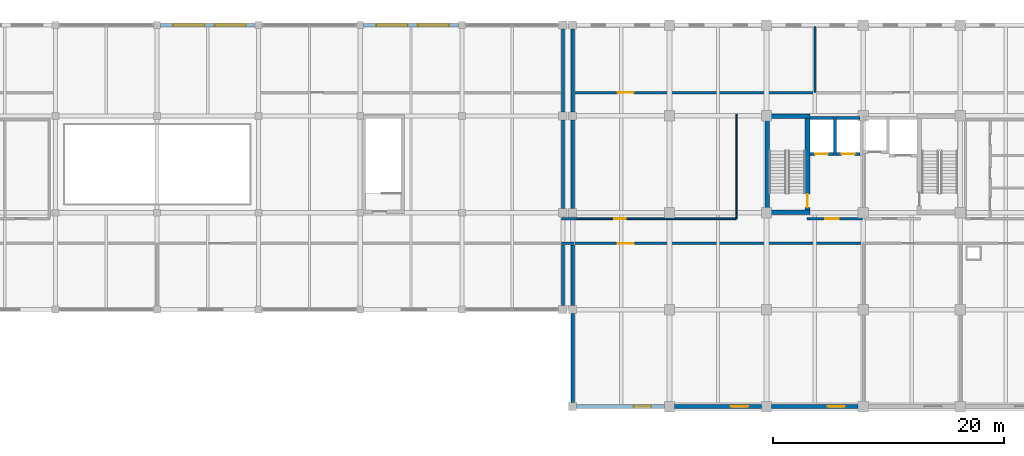
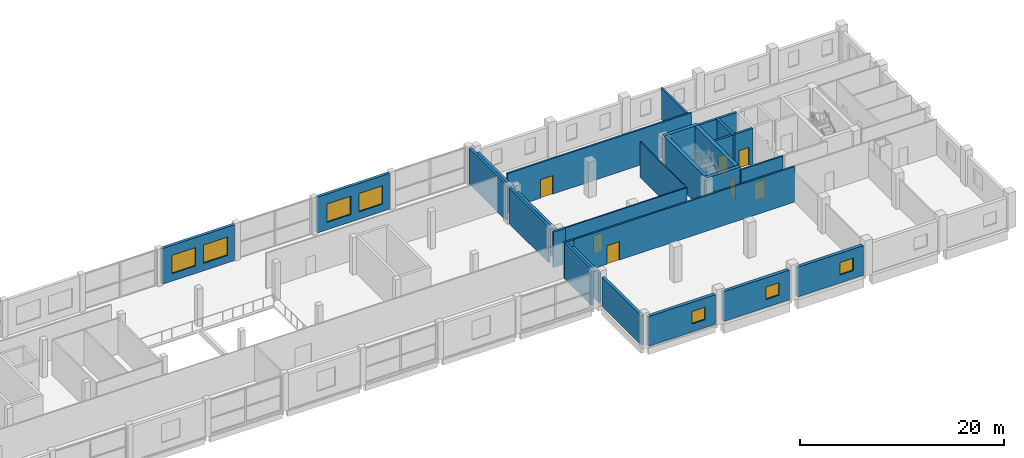
# One storey, part 14 of 18: 29 walls, 7 doors, 7 windows, 14 openings.
"""IFC4 building model written with IfcOpenShell, lengths in metres."""

import ifcopenshell
import ifcopenshell.guid

model = None  # the IFC model being written
_history = None  # IfcOwnerHistory: only IFC2X3 demands one
_inside = {}  # id of a spatial element -> (the spatial element, [elements in it])
_under = {}  # id of a project, library or spatial element -> (it, [spatial elements below it])
_declared = {}  # id of a project -> (the project, [libraries it declares])
_typed = {}  # id of a type object -> (the type object, [elements of that type])
_made_of = {}  # id of a material, layer set ... -> (it, [elements and type objects made of it])


def new_model(schema):
    """Start an empty IFC model of exactly this schema.

    Asked for "IFC4X3", IfcOpenShell would pick the latest addendum, in which some entities
    have other attributes; the version numbers below select the first issue.
    IFC2X3 requires an IfcOwnerHistory on every rooted entity: one is made here for all.
    """
    global model, _history
    if schema == "IFC4X3":
        model = ifcopenshell.file(schema_version=(4, 3, 0, 0))
    else:
        model = ifcopenshell.file(schema=schema)
    _inside.clear()
    _under.clear()
    _declared.clear()
    _typed.clear()
    _made_of.clear()
    _history = None
    if model.schema == "IFC2X3":
        org = make("IfcOrganization", Name="unknown")
        user = make(
            "IfcPersonAndOrganization",
            ThePerson=make("IfcPerson", FamilyName="unknown"),
            TheOrganization=org,
        )
        app = make(
            "IfcApplication",
            ApplicationDeveloper=org,
            Version="unknown",
            ApplicationFullName="unknown",
            ApplicationIdentifier="unknown",
        )
        _history = make(
            "IfcOwnerHistory",
            OwningUser=user,
            OwningApplication=app,
            ChangeAction="ADDED",
            CreationDate=0,
        )
    return model


def make(cls, **values):
    """One entity of the class cls with the attributes given. An attribute that is None is left unset."""
    return model.create_entity(
        cls, **{name: value for name, value in values.items() if value is not None}
    )


def rooted(cls, **values):
    """An entity with a GlobalId (a new one), such as an element, a storey or a relation."""
    return make(cls, GlobalId=ifcopenshell.guid.new(), OwnerHistory=_history, **values)


def si_unit(unit_type, name, prefix=None):
    """IfcSIUnit, for example si_unit("LENGTHUNIT", "METRE", prefix="MILLI")."""
    return make("IfcSIUnit", UnitType=unit_type, Prefix=prefix, Name=name)


def assignment(units):
    """IfcUnitAssignment: the units of a project."""
    return None if units is None else make("IfcUnitAssignment", Units=units)


def point(xyz):
    """IfcCartesianPoint."""
    return None if xyz is None else make("IfcCartesianPoint", Coordinates=xyz)


def direction(xyz):
    """IfcDirection."""
    return None if xyz is None else make("IfcDirection", DirectionRatios=xyz)


def frame(location, z_axis=None, x_axis=None):
    """IfcAxis2Placement3D, a coordinate frame: its origin and axes. An axis left out is left unset."""
    return make(
        "IfcAxis2Placement3D",
        Location=point(location),
        Axis=direction(z_axis),
        RefDirection=direction(x_axis),
    )


def frame_2d(location, x_axis=None):
    """IfcAxis2Placement2D, a coordinate frame in the plane: its origin and x axis."""
    return make(
        "IfcAxis2Placement2D", Location=point(location), RefDirection=direction(x_axis)
    )


def origin():
    """The frame at (0, 0, 0) with its axes left unset."""
    return frame((0.0, 0.0, 0.0))


def place(relative_to, where):
    """IfcLocalPlacement: puts the frame where relative to a parent placement (None: the world)."""
    return make(
        "IfcLocalPlacement", PlacementRelTo=relative_to, RelativePlacement=where
    )


def context(
    kind, dimensions, precision=None, world=None, true_north=None, identifier=None
):
    """IfcGeometricRepresentationContext, for example the 3D "Model" context."""
    return make(
        "IfcGeometricRepresentationContext",
        ContextIdentifier=identifier,
        ContextType=kind,
        CoordinateSpaceDimension=dimensions,
        Precision=precision,
        WorldCoordinateSystem=world,
        TrueNorth=true_north,
    )


def subcontext(parent, identifier, kind, view, scale=None):
    """IfcGeometricRepresentationSubContext, for example "Body" below "Model"."""
    return make(
        "IfcGeometricRepresentationSubContext",
        ContextIdentifier=identifier,
        ContextType=kind,
        ParentContext=parent,
        TargetScale=scale,
        TargetView=view,
    )


def project(units=None, contexts=None):
    """IfcProject with its units and contexts."""
    return rooted(
        "IfcProject",
        Name="project",
        RepresentationContexts=contexts,
        UnitsInContext=assignment(units),
    )


def spatial(cls, under=None, at=None, **own):
    """A site, building, storey or space (cls), placed at a placement, below another one or the project."""
    s = rooted(cls, ObjectPlacement=at, **own)
    if under is not None:
        _under.setdefault(under.id(), (under, []))[1].append(s)
    return s


def profile(cls, at=None, kind="AREA", **sizes):
    """A parametric profile (cls). Its sizes go by their IFC names, for example OverallWidth=200.0."""
    return make(cls, ProfileType=kind, Position=at, **sizes)


def rectangle(**sizes):
    """IfcRectangleProfileDef."""
    return profile("IfcRectangleProfileDef", **sizes)


def extrude(swept, where, along, depth):
    """IfcExtrudedAreaSolid: the profile swept, set in the frame where, extruded along a direction by depth."""
    return make(
        "IfcExtrudedAreaSolid",
        SweptArea=swept,
        Position=where,
        ExtrudedDirection=direction(along),
        Depth=depth,
    )


def shape(context_of_items, identifier, shape_type, items):
    """IfcShapeRepresentation: the items that make up one representation, for example the "Body"."""
    return make(
        "IfcShapeRepresentation",
        ContextOfItems=context_of_items,
        RepresentationIdentifier=identifier,
        RepresentationType=shape_type,
        Items=items,
    )


def material(Name=None, Category=None):
    """IfcMaterial."""
    return make("IfcMaterial", Name=Name, Category=Category)


def layer(
    of_material, thickness, ventilated=None, Name=None, Category=None, Priority=None
):
    """IfcMaterialLayer: one layer of a wall or slab, of a material (None: an air gap)."""
    return make(
        "IfcMaterialLayer",
        Material=of_material,
        LayerThickness=thickness,
        IsVentilated=ventilated,
        Name=Name,
        Category=Category,
        Priority=Priority,
    )


def layer_set(layers, Name=None):
    """IfcMaterialLayerSet."""
    return make("IfcMaterialLayerSet", MaterialLayers=layers, LayerSetName=Name)


def made_of(thing, what):
    """Note that an element or type object is made of a material, layer set ...; save() writes the relation."""
    if what is not None:
        _made_of.setdefault(what.id(), (what, []))[1].append(thing)
    return thing


def type_object(cls, material=None, **own):
    """A type object (cls), such as IfcWallType, which elements share."""
    return made_of(rooted(cls, **own), material)


def element(
    cls,
    number,
    at=None,
    inside=None,
    cuts=None,
    type_object=None,
    material=None,
    context=None,
    identifier="Body",
    shape_type=None,
    held_by="IfcProductDefinitionShape",
    body=None,
    shapes=None,
    **own,
):
    """One element of the class cls, such as IfcWall. Its Tag is "e" and its number.

    at: its placement. inside: the storey or other place that contains it. cuts: it is an
    opening in that element (IfcRelVoidsElement). A single representation is given by context,
    identifier, shape_type and body (its items); several are given by shapes. held_by: the class
    of the entity that holds the representations. save() writes the other relations.
    """
    e = rooted(cls, Tag="e%d" % number, ObjectPlacement=at, **own)
    if body is not None:
        shapes = [shape(context, identifier, shape_type, body)]
    if shapes is not None:
        e.Representation = make(held_by, Representations=shapes)
    if inside is not None:
        _inside.setdefault(inside.id(), (inside, []))[1].append(e)
    if cuts is not None:
        rooted(
            "IfcRelVoidsElement", RelatingBuildingElement=cuts, RelatedOpeningElement=e
        )
    if type_object is not None:
        _typed.setdefault(type_object.id(), (type_object, []))[1].append(e)
    return made_of(e, material)


def fill(opening, filler):
    """IfcRelFillsElement: the door or window that sits in an opening."""
    return rooted(
        "IfcRelFillsElement",
        RelatingOpeningElement=opening,
        RelatedBuildingElement=filler,
    )


def aggregate(whole, parts):
    """IfcRelAggregates: a whole, such as a stair, and the parts it consists of."""
    return rooted("IfcRelAggregates", RelatingObject=whole, RelatedObjects=parts)


def save(model, path):
    """Write the relations noted so far, then the file.

    IfcRelAggregates (storeys below a building ...), IfcRelContainedInSpatialStructure (elements
    in a storey), IfcRelDefinesByType, IfcRelAssociatesMaterial and IfcRelDeclares: one each for
    every whole, place, type object, material and project.
    """
    for whole, parts in _under.values():
        aggregate(whole, parts)
    for where, things in _inside.values():
        rooted(
            "IfcRelContainedInSpatialStructure",
            RelatedElements=things,
            RelatingStructure=where,
        )
    for kind, things in _typed.values():
        rooted("IfcRelDefinesByType", RelatedObjects=things, RelatingType=kind)
    for what, things in _made_of.values():
        rooted("IfcRelAssociatesMaterial", RelatedObjects=things, RelatingMaterial=what)
    for by, libraries in _declared.values():
        rooted("IfcRelDeclares", RelatingContext=by, RelatedDefinitions=libraries)
    model.write(path)


model = new_model("IFC4")

# Units and contexts
model_context = context("Model", 3, precision=1e-05, world=origin(), true_north=direction((0.0, 1.0)))
body_context = subcontext(model_context, "Body", "Model", "MODEL_VIEW")
ifc_project = project(units=[si_unit("LENGTHUNIT", "METRE"), si_unit("AREAUNIT", "SQUARE_METRE"), si_unit("VOLUMEUNIT", "CUBIC_METRE"), si_unit("PLANEANGLEUNIT", "RADIAN"), si_unit("MASSUNIT", "GRAM", prefix="KILO")], contexts=[model_context])

# Site, building, storey
site_placement = place(None, origin())
site = spatial("IfcSite", under=ifc_project, at=site_placement, CompositionType="ELEMENT")
building_placement = place(site_placement, origin())
building = spatial("IfcBuilding", under=site, at=building_placement, Name="Brinegate Botanical Conservatory", CompositionType="ELEMENT")
storey_placement = place(building_placement, frame((0.0, 0.0, 14.699951171875)))
storey = spatial("IfcBuildingStorey", under=building, at=storey_placement, Name="L04", CompositionType="ELEMENT", Elevation=14.699951171875)

# Walls
ifc_material_1 = material(Name="Fujian grey granite ashlar masonry", Category="masonry")
ifc_layer_1 = layer(ifc_material_1, 0.239990234375, Name="Fujian grey granite ashlar masonry", Category="masonry")
ifc_layer_set_1 = layer_set([ifc_layer_1], Name="Fujian grey granite ashlar masonry")
wall_type_1 = type_object("IfcWallType", Name="Wall_EW-240A", PredefinedType="STANDARD", material=ifc_layer_set_1)
wall_1_placement = place(storey_placement, frame((122.139892578125, 92.550048828125, 0.0), z_axis=(0.0, 0.0, 1.0), x_axis=(-1.0, 0.0, 0.0)))
element("IfcWall", 1, at=wall_1_placement, inside=storey, type_object=wall_type_1, Name="Seismic-joint corridor link wall L04 S", PredefinedType="STANDARD", context=body_context, shape_type="SweptSolid", body=[
    extrude(rectangle(XDim=1.10986328125, YDim=0.239990234375, at=frame_2d((0.554931640625, 0.0))), origin(), (0.0, 0.0, 1.0), 4.260009765625),
])
wall_2_placement = place(storey_placement, frame((121.030029296875, 94.679931640625, 0.0), z_axis=(0.0, 0.0, 1.0), x_axis=(1.0, 0.0, 0.0)))
element("IfcWall", 2, at=wall_2_placement, inside=storey, type_object=wall_type_1, Name="Seismic-joint corridor link wall L04 N", PredefinedType="STANDARD", context=body_context, shape_type="SweptSolid", body=[
    extrude(rectangle(XDim=1.35986328125, YDim=0.239990234375, at=frame_2d((0.679931640625, 0.0))), origin(), (0.0, 0.0, 1.0), 4.260009765625),
])
ifc_material_2 = material(Name="Precast concrete C40/50 architectural panel", Category="concrete")
ifc_layer_2 = layer(ifc_material_2, 0.260009765625, Name="Precast concrete C40/50 architectural panel", Category="concrete")
ifc_layer_set_2 = layer_set([ifc_layer_2], Name="Precast concrete C40/50 architectural panel")
wall_type_2 = type_object("IfcWallType", Name="Wall_EW-260P", PredefinedType="STANDARD", material=ifc_layer_set_2)
wall_3_placement = place(storey_placement, frame((121.14990234375, 92.419921875, 0.0), z_axis=(0.0, 0.0, 1.0), x_axis=(0.0, -1.0, 0.0)))
element("IfcWall", 3, at=wall_3_placement, inside=storey, type_object=wall_type_2, Name="Visitor east seismic-joint closure wall L04.1", PredefinedType="STANDARD", context=body_context, shape_type="SweptSolid", body=[
    extrude(rectangle(XDim=5.27001953125, YDim=0.260009765625, at=frame_2d((2.635009765625, 0.0))), origin(), (0.0, 0.0, 1.0), 4.300048828125),
])
wall_4_placement = place(storey_placement, frame((121.14990234375, 103.25, 0.0), z_axis=(0.0, 0.0, 1.0), x_axis=(0.0, -1.0, 0.0)))
element("IfcWall", 4, at=wall_4_placement, inside=storey, type_object=wall_type_2, Name="Visitor east seismic-joint closure wall L04.3", PredefinedType="STANDARD", context=body_context, shape_type="SweptSolid", body=[
    extrude(rectangle(XDim=7.699951171875, YDim=0.260009765625, at=frame_2d((3.85009765625, 0.0))), origin(), (0.0, 0.0, 1.0), 4.300048828125),
])
wall_5_placement = place(storey_placement, frame((121.14990234375, 111.10009765625, 0.0), z_axis=(0.0, 0.0, 1.0), x_axis=(0.0, -1.0, 0.0)))
element("IfcWall", 5, at=wall_5_placement, inside=storey, type_object=wall_type_2, Name="Visitor east seismic-joint closure wall L04.4", PredefinedType="STANDARD", context=body_context, shape_type="SweptSolid", body=[
    extrude(rectangle(XDim=7.150146484375, YDim=0.260009765625, at=frame_2d((3.5751953125, 0.0))), origin(), (0.0, 0.0, 1.0), 4.300048828125),
])
ifc_material_3 = material(Name="Insulated Minnan red clay brick masonry", Category="masonry")
ifc_layer_3 = layer(ifc_material_3, 0.300048828125, Name="Insulated Minnan red clay brick masonry", Category="masonry")
ifc_layer_set_3 = layer_set([ifc_layer_3], Name="Insulated Minnan red clay brick masonry")
wall_type_3 = type_object("IfcWallType", Name="Wall_EW-300B", PredefinedType="STANDARD", material=ifc_layer_set_3)
wall_6_placement = place(storey_placement, frame((122.0, 78.75, 0.0), z_axis=(0.0, 0.0, 1.0), x_axis=(0.0, 1.0, 0.0)))
element("IfcWall", 6, at=wall_6_placement, inside=storey, type_object=wall_type_3, Name="Tower west wall L04.S1", PredefinedType="STANDARD", context=body_context, shape_type="SweptSolid", body=[
    extrude(rectangle(XDim=7.699951171875, YDim=0.300048828125, at=frame_2d((3.85009765625, 0.0))), origin(), (0.0, 0.0, 1.0), 3.510009765625),
])
wall_7_placement = place(storey_placement, frame((122.0, 87.14990234375, 0.0), z_axis=(0.0, 0.0, 1.0), x_axis=(0.0, 1.0, 0.0)))
element("IfcWall", 7, at=wall_7_placement, inside=storey, type_object=wall_type_3, Name="Tower seismic-joint west wall L04.2", PredefinedType="STANDARD", context=body_context, shape_type="SweptSolid", body=[
    extrude(rectangle(XDim=5.27001953125, YDim=0.300048828125, at=frame_2d((2.635009765625, 0.0))), origin(), (0.0, 0.0, 1.0), 3.510009765625),
])
wall_8_placement = place(storey_placement, frame((122.0, 95.550048828125, 0.0), z_axis=(0.0, 0.0, 1.0), x_axis=(0.0, 1.0, 0.0)))
element("IfcWall", 8, at=wall_8_placement, inside=storey, type_object=wall_type_3, Name="Tower mid-west wall L04", PredefinedType="STANDARD", context=body_context, shape_type="SweptSolid", body=[
    extrude(rectangle(XDim=7.699951171875, YDim=0.300048828125, at=frame_2d((3.85009765625, 0.0))), origin(), (0.0, 0.0, 1.0), 3.510009765625),
])
wall_9_placement = place(storey_placement, frame((122.0, 103.949951171875, 0.0), z_axis=(0.0, 0.0, 1.0), x_axis=(0.0, 1.0, 0.0)))
element("IfcWall", 9, at=wall_9_placement, inside=storey, type_object=wall_type_3, Name="Tower north-west seismic-joint wall L04", PredefinedType="STANDARD", context=body_context, shape_type="SweptSolid", body=[
    extrude(rectangle(XDim=7.150146484375, YDim=0.300048828125, at=frame_2d((3.5751953125, 0.0))), origin(), (0.0, 0.0, 1.0), 3.510009765625),
])

# Wall, openings, windows
ifc_layer_4 = layer(ifc_material_3, 0.320068359375, Name="Insulated Minnan red clay brick masonry", Category="masonry")
ifc_layer_set_4 = layer_set([ifc_layer_4], Name="Insulated Minnan red clay brick masonry")
wall_type_4 = type_object("IfcWallType", Name="Wall_EW-320B", PredefinedType="STANDARD", material=ifc_layer_set_4)
wall_10_placement = place(storey_placement, frame((86.300048828125, 111.449951171875, 0.0), z_axis=(0.0, 0.0, 1.0), x_axis=(1.0, 0.0, 0.0)))
wall_10 = element("IfcWall", 10, at=wall_10_placement, inside=storey, type_object=wall_type_4, Name="Visitor north brick bay wall L04.5", PredefinedType="STANDARD", context=body_context, shape_type="SweptSolid", body=[
    extrude(rectangle(XDim=8.199951171875, YDim=0.320068359375, at=frame_2d((4.10009765625, 0.0))), origin(), (0.0, 0.0, 1.0), 4.300048828125),
])
opening_1_placement = place(wall_10_placement, frame((1.10009765625, 0.0, 0.89990234375)))
opening_1 = element("IfcOpeningElement", 11, at=opening_1_placement, cuts=wall_10, Name="Opening WN-10", PredefinedType="OPENING", context=body_context, shape_type="SweptSolid", body=[
    extrude(rectangle(XDim=2.699951171875, YDim=2.199951171875, at=frame_2d((1.35009765625, 1.10009765625))), frame((0.0, 0.169921875, 0.0), z_axis=(0.0, -1.0, 0.0), x_axis=(1.0, 0.0, 0.0)), (0.0, 0.0, 1.0), 0.340087890625),
])
opening_2_placement = place(wall_10_placement, frame((4.699951171875, 0.0, 0.89990234375)))
opening_2 = element("IfcOpeningElement", 12, at=opening_2_placement, cuts=wall_10, Name="Opening WN-10", PredefinedType="OPENING", context=body_context, shape_type="SweptSolid", body=[
    extrude(rectangle(XDim=2.699951171875, YDim=2.199951171875, at=frame_2d((1.35009765625, 1.10009765625))), frame((0.0, 0.169921875, 0.0), z_axis=(0.0, -1.0, 0.0), x_axis=(1.0, 0.0, 0.0)), (0.0, 0.0, 1.0), 0.340087890625),
])
ifc_material_4 = material(Name="Thermally broken aluminium-framed Low-E glass", Category="aluminium")
window_type_1 = type_object("IfcWindowType", Name="Win_WN-10", PartitioningType="TRIPLE_PANEL_VERTICAL", PredefinedType="WINDOW", material=ifc_material_4)
window_1_placement = place(opening_1_placement, origin())
window_1 = element("IfcWindow", 13, at=window_1_placement, inside=storey, type_object=window_type_1, Name="Visitor north window L04.5A", OverallHeight=2.199951171875, OverallWidth=2.699951171875, PartitioningType="TRIPLE_PANEL_VERTICAL", PredefinedType="WINDOW", context=body_context, shape_type="SweptSolid", body=[
    extrude(rectangle(XDim=2.699951171875, YDim=2.199951171875, at=frame_2d((1.35009765625, 1.10009765625))), frame((0.0, 0.030029296875, 0.0), z_axis=(0.0, -1.0, 0.0), x_axis=(1.0, 0.0, 0.0)), (0.0, 0.0, 1.0), 0.06005859375),
])
fill(opening_1, window_1)
window_2_placement = place(opening_2_placement, origin())
window_2 = element("IfcWindow", 14, at=window_2_placement, inside=storey, type_object=window_type_1, Name="Visitor north window L04.5B", OverallHeight=2.199951171875, OverallWidth=2.699951171875, PartitioningType="TRIPLE_PANEL_VERTICAL", PredefinedType="WINDOW", context=body_context, shape_type="SweptSolid", body=[
    extrude(rectangle(XDim=2.699951171875, YDim=2.199951171875, at=frame_2d((1.35009765625, 1.10009765625))), frame((0.0, 0.030029296875, 0.0), z_axis=(0.0, -1.0, 0.0), x_axis=(1.0, 0.0, 0.0)), (0.0, 0.0, 1.0), 0.06005859375),
])
fill(opening_2, window_2)

wall_11_placement = place(storey_placement, frame((103.89990234375, 111.449951171875, 0.0), z_axis=(0.0, 0.0, 1.0), x_axis=(1.0, 0.0, 0.0)))
wall_11 = element("IfcWall", 15, at=wall_11_placement, inside=storey, type_object=wall_type_4, Name="Visitor north brick bay wall L04.7", PredefinedType="STANDARD", context=body_context, shape_type="SweptSolid", body=[
    extrude(rectangle(XDim=8.2001953125, YDim=0.320068359375, at=frame_2d((4.10009765625, 0.0))), origin(), (0.0, 0.0, 1.0), 4.300048828125),
])
opening_3_placement = place(wall_11_placement, frame((1.10009765625, 0.0, 0.89990234375)))
opening_3 = element("IfcOpeningElement", 16, at=opening_3_placement, cuts=wall_11, Name="Opening WN-10", PredefinedType="OPENING", context=body_context, shape_type="SweptSolid", body=[
    extrude(rectangle(XDim=2.699951171875, YDim=2.199951171875, at=frame_2d((1.35009765625, 1.10009765625))), frame((0.0, 0.169921875, 0.0), z_axis=(0.0, -1.0, 0.0), x_axis=(1.0, 0.0, 0.0)), (0.0, 0.0, 1.0), 0.340087890625),
])
opening_4_placement = place(wall_11_placement, frame((4.699951171875, 0.0, 0.89990234375)))
opening_4 = element("IfcOpeningElement", 17, at=opening_4_placement, cuts=wall_11, Name="Opening WN-10", PredefinedType="OPENING", context=body_context, shape_type="SweptSolid", body=[
    extrude(rectangle(XDim=2.699951171875, YDim=2.199951171875, at=frame_2d((1.35009765625, 1.10009765625))), frame((0.0, 0.169921875, 0.0), z_axis=(0.0, -1.0, 0.0), x_axis=(1.0, 0.0, 0.0)), (0.0, 0.0, 1.0), 0.340087890625),
])
window_3_placement = place(opening_3_placement, origin())
window_3 = element("IfcWindow", 18, at=window_3_placement, inside=storey, type_object=window_type_1, Name="Visitor north window L04.7A", OverallHeight=2.199951171875, OverallWidth=2.699951171875, PartitioningType="TRIPLE_PANEL_VERTICAL", PredefinedType="WINDOW", context=body_context, shape_type="SweptSolid", body=[
    extrude(rectangle(XDim=2.699951171875, YDim=2.199951171875, at=frame_2d((1.35009765625, 1.10009765625))), frame((0.0, 0.030029296875, 0.0), z_axis=(0.0, -1.0, 0.0), x_axis=(1.0, 0.0, 0.0)), (0.0, 0.0, 1.0), 0.06005859375),
])
fill(opening_3, window_3)
window_4_placement = place(opening_4_placement, origin())
window_4 = element("IfcWindow", 19, at=window_4_placement, inside=storey, type_object=window_type_1, Name="Visitor north window L04.7B", OverallHeight=2.199951171875, OverallWidth=2.699951171875, PartitioningType="TRIPLE_PANEL_VERTICAL", PredefinedType="WINDOW", context=body_context, shape_type="SweptSolid", body=[
    extrude(rectangle(XDim=2.699951171875, YDim=2.199951171875, at=frame_2d((1.35009765625, 1.10009765625))), frame((0.0, 0.030029296875, 0.0), z_axis=(0.0, -1.0, 0.0), x_axis=(1.0, 0.0, 0.0)), (0.0, 0.0, 1.0), 0.06005859375),
])
fill(opening_4, window_4)

# Wall, opening, window
ifc_layer_5 = layer(ifc_material_3, 0.360107421875, Name="Insulated Minnan red clay brick masonry", Category="masonry")
ifc_layer_set_5 = layer_set([ifc_layer_5], Name="Insulated Minnan red clay brick masonry")
wall_type_5 = type_object("IfcWallType", Name="Wall_EW-360B", PredefinedType="STANDARD", material=ifc_layer_set_5)
wall_12_placement = place(storey_placement, frame((129.949951171875, 78.39990234375, 0.0), z_axis=(0.0, 0.0, 1.0), x_axis=(-1.0, 0.0, 0.0)))
wall_12 = element("IfcWall", 20, at=wall_12_placement, inside=storey, type_object=wall_type_5, Name="Tower south facade wall L04.1", PredefinedType="STANDARD", context=body_context, shape_type="SweptSolid", body=[
    extrude(rectangle(XDim=7.599853515625, YDim=0.360107421875, at=frame_2d((3.7998046875, 0.0))), origin(), (0.0, 0.0, 1.0), 3.56005859375),
])
opening_5_placement = place(wall_12_placement, frame((1.14990234375, 0.0, 0.949951171875)))
opening_5 = element("IfcOpeningElement", 21, at=opening_5_placement, cuts=wall_12, Name="Opening WN-08", PredefinedType="OPENING", context=body_context, shape_type="SweptSolid", body=[
    extrude(rectangle(XDim=1.5, YDim=1.5, at=frame_2d((0.75, 0.75))), frame((0.0, 0.18994140625, 0.0), z_axis=(0.0, -1.0, 0.0), x_axis=(1.0, 0.0, 0.0)), (0.0, 0.0, 1.0), 0.380126953125),
])
window_type_2 = type_object("IfcWindowType", Name="Win_WN-08", PartitioningType="DOUBLE_PANEL_VERTICAL", PredefinedType="WINDOW", material=ifc_material_4)
window_5_placement = place(opening_5_placement, origin())
window_5 = element("IfcWindow", 22, at=window_5_placement, inside=storey, type_object=window_type_2, Name="Tower south window L04.1", OverallHeight=1.5, OverallWidth=1.5, PartitioningType="DOUBLE_PANEL_VERTICAL", PredefinedType="WINDOW", context=body_context, shape_type="SweptSolid", body=[
    extrude(rectangle(XDim=1.5, YDim=1.5, at=frame_2d((0.75, 0.75))), frame((0.0, 0.030029296875, 0.0), z_axis=(0.0, -1.0, 0.0), x_axis=(1.0, 0.0, 0.0)), (0.0, 0.0, 1.0), 0.06005859375),
])
fill(opening_5, window_5)

wall_13_placement = place(storey_placement, frame((138.35009765625, 78.39990234375, 0.0), z_axis=(0.0, 0.0, 1.0), x_axis=(-1.0, 0.0, 0.0)))
wall_13 = element("IfcWall", 23, at=wall_13_placement, inside=storey, type_object=wall_type_5, Name="Tower south facade wall L04.2", PredefinedType="STANDARD", context=body_context, shape_type="SweptSolid", body=[
    extrude(rectangle(XDim=7.5, YDim=0.360107421875, at=frame_2d((3.75, 0.0))), origin(), (0.0, 0.0, 1.0), 3.56005859375),
])
opening_6_placement = place(wall_13_placement, frame((1.14990234375, 0.0, 0.949951171875)))
opening_6 = element("IfcOpeningElement", 24, at=opening_6_placement, cuts=wall_13, Name="Opening WN-08", PredefinedType="OPENING", context=body_context, shape_type="SweptSolid", body=[
    extrude(rectangle(XDim=1.5, YDim=1.5, at=frame_2d((0.75, 0.75))), frame((0.0, 0.18994140625, 0.0), z_axis=(0.0, -1.0, 0.0), x_axis=(1.0, 0.0, 0.0)), (0.0, 0.0, 1.0), 0.380126953125),
])
window_6_placement = place(opening_6_placement, origin())
window_6 = element("IfcWindow", 25, at=window_6_placement, inside=storey, type_object=window_type_2, Name="Tower south window L04.2", OverallHeight=1.5, OverallWidth=1.5, PartitioningType="DOUBLE_PANEL_VERTICAL", PredefinedType="WINDOW", context=body_context, shape_type="SweptSolid", body=[
    extrude(rectangle(XDim=1.5, YDim=1.5, at=frame_2d((0.75, 0.75))), frame((0.0, 0.030029296875, 0.0), z_axis=(0.0, -1.0, 0.0), x_axis=(1.0, 0.0, 0.0)), (0.0, 0.0, 1.0), 0.06005859375),
])
fill(opening_6, window_6)

wall_14_placement = place(storey_placement, frame((146.75, 78.39990234375, 0.0), z_axis=(0.0, 0.0, 1.0), x_axis=(-1.0, 0.0, 0.0)))
wall_14 = element("IfcWall", 26, at=wall_14_placement, inside=storey, type_object=wall_type_5, Name="Tower south facade wall L04.3", PredefinedType="STANDARD", context=body_context, shape_type="SweptSolid", body=[
    extrude(rectangle(XDim=7.5, YDim=0.360107421875, at=frame_2d((3.75, 0.0))), origin(), (0.0, 0.0, 1.0), 3.56005859375),
])
opening_7_placement = place(wall_14_placement, frame((1.14990234375, 0.0, 0.949951171875)))
opening_7 = element("IfcOpeningElement", 27, at=opening_7_placement, cuts=wall_14, Name="Opening WN-08", PredefinedType="OPENING", context=body_context, shape_type="SweptSolid", body=[
    extrude(rectangle(XDim=1.5, YDim=1.5, at=frame_2d((0.75, 0.75))), frame((0.0, 0.18994140625, 0.0), z_axis=(0.0, -1.0, 0.0), x_axis=(1.0, 0.0, 0.0)), (0.0, 0.0, 1.0), 0.380126953125),
])
window_7_placement = place(opening_7_placement, origin())
window_7 = element("IfcWindow", 28, at=window_7_placement, inside=storey, type_object=window_type_2, Name="Tower south window L04.3", OverallHeight=1.5, OverallWidth=1.5, PartitioningType="DOUBLE_PANEL_VERTICAL", PredefinedType="WINDOW", context=body_context, shape_type="SweptSolid", body=[
    extrude(rectangle(XDim=1.5, YDim=1.5, at=frame_2d((0.75, 0.75))), frame((0.0, 0.030029296875, 0.0), z_axis=(0.0, -1.0, 0.0), x_axis=(1.0, 0.0, 0.0)), (0.0, 0.0, 1.0), 0.06005859375),
])
fill(opening_7, window_7)

# Wall
ifc_material_5 = material(Name="Gypsum-clad steel-stud partition", Category="steel")
ifc_layer_6 = layer(ifc_material_5, 0.1201171875, Name="Gypsum-clad steel-stud partition", Category="steel")
ifc_layer_set_6 = layer_set([ifc_layer_6], Name="Gypsum-clad steel-stud partition")
wall_type_6 = type_object("IfcWallType", Name="Wall_PW-120", PredefinedType="PARTITIONING", material=ifc_layer_set_6)
wall_15_placement = place(storey_placement, frame((136.199951171875, 94.679931640625, 0.0), z_axis=(0.0, 0.0, 1.0), x_axis=(0.0, 1.0, 0.0)))
element("IfcWall", 29, at=wall_15_placement, inside=storey, type_object=wall_type_6, Name="Interior partition P-L04-XCORR-W", PredefinedType="PARTITIONING", context=body_context, shape_type="SweptSolid", body=[
    extrude(rectangle(XDim=9.070068359375, YDim=0.1201171875, at=frame_2d((4.53515625, 0.0))), origin(), (0.0, 0.0, 1.0), 4.260009765625),
])

# Wall, opening, door
ifc_material_6 = material(Name="Gypsum-clad acoustic steel-stud partition", Category="steel")
ifc_layer_7 = layer(ifc_material_6, 0.14501953125, Name="Gypsum-clad acoustic steel-stud partition", Category="steel")
ifc_layer_set_7 = layer_set([ifc_layer_7], Name="Gypsum-clad acoustic steel-stud partition")
wall_type_7 = type_object("IfcWallType", Name="Wall_PW-150", PredefinedType="PARTITIONING", material=ifc_layer_set_7)
wall_16_placement = place(storey_placement, frame((122.39990234375, 94.679931640625, 0.0), z_axis=(0.0, 0.0, 1.0), x_axis=(1.0, 0.0, 0.0)))
wall_16 = element("IfcWall", 30, at=wall_16_placement, inside=storey, type_object=wall_type_7, Name="Interior partition P-L04-MIDW-S", PredefinedType="PARTITIONING", context=body_context, shape_type="SweptSolid", body=[
    extrude(rectangle(XDim=13.800048828125, YDim=0.14501953125, at=frame_2d((6.89990234375, 0.0))), origin(), (0.0, 0.0, 1.0), 4.260009765625),
])
opening_8_placement = place(wall_16_placement, frame((3.199951171875, 0.0, 0.0)))
opening_8 = element("IfcOpeningElement", 31, at=opening_8_placement, cuts=wall_16, Name="Opening DR-02", PredefinedType="OPENING", context=body_context, shape_type="SweptSolid", body=[
    extrude(rectangle(XDim=1.02001953125, YDim=2.14990234375, at=frame_2d((0.510009765625, 1.074951171875))), frame((0.0, 0.08251953125, 0.0), z_axis=(0.0, -1.0, 0.0), x_axis=(1.0, 0.0, 0.0)), (0.0, 0.0, 1.0), 0.1650390625),
])
ifc_material_7 = material(Name="Phenolic-faced laboratory timber leaf", Category="wood")
door_type_1 = type_object("IfcDoorType", Name="Door_DR-02", OperationType="NOTDEFINED", PredefinedType="DOOR", material=ifc_material_7)
door_1_placement = place(opening_8_placement, origin())
door_1 = element("IfcDoor", 32, at=door_1_placement, inside=storey, type_object=door_type_1, Name="DR-P-L04-MIDW-S-1", OperationType="SINGLE_SWING_RIGHT", OverallHeight=2.14990234375, OverallWidth=1.02001953125, PredefinedType="DOOR", context=body_context, shape_type="SweptSolid", body=[
    extrude(rectangle(XDim=1.02001953125, YDim=2.14990234375, at=frame_2d((0.510009765625, 1.074951171875))), frame((0.0, 0.02490234375, 0.0), z_axis=(0.0, -1.0, 0.0), x_axis=(1.0, 0.0, 0.0)), (0.0, 0.0, 1.0), 0.050048828125),
])
fill(opening_8, door_1)

ifc_material_8 = material(Name="Autoclaved aerated concrete C40/50 blockwork", Category="masonry")
ifc_layer_8 = layer(ifc_material_8, 0.179931640625, Name="Autoclaved aerated concrete C40/50 blockwork", Category="masonry")
ifc_layer_set_8 = layer_set([ifc_layer_8], Name="Autoclaved aerated concrete C40/50 blockwork")
wall_type_8 = type_object("IfcWallType", Name="Wall_PW-180F", PredefinedType="STANDARD", material=ifc_layer_set_8)
wall_17_placement = place(storey_placement, frame((142.300048828125, 94.679931640625, 0.0), z_axis=(0.0, 0.0, 1.0), x_axis=(1.0, 0.0, 0.0)))
wall_17 = element("IfcWall", 33, at=wall_17_placement, inside=storey, type_object=wall_type_8, Name="Interior partition P-L04-CORE-FF", PredefinedType="STANDARD", context=body_context, shape_type="SweptSolid", body=[
    extrude(rectangle(XDim=4.800048828125, YDim=0.179931640625, at=frame_2d((2.39990234375, 0.0))), origin(), (0.0, 0.0, 1.0), 4.260009765625),
])
opening_9_placement = place(wall_17_placement, frame((1.60009765625, 0.0, 0.0)))
opening_9 = element("IfcOpeningElement", 34, at=opening_9_placement, cuts=wall_17, Name="Opening FD-B1", PredefinedType="OPENING", context=body_context, shape_type="SweptSolid", body=[
    extrude(rectangle(XDim=1.14990234375, YDim=2.14990234375, at=frame_2d((0.574951171875, 1.074951171875))), frame((0.0, 0.099853515625, 0.0), z_axis=(0.0, -1.0, 0.0), x_axis=(1.0, 0.0, 0.0)), (0.0, 0.0, 1.0), 0.199951171875),
])
ifc_material_9 = material(Name="Steel smoke-proof fire door assembly", Category="steel")
door_type_2 = type_object("IfcDoorType", Name="Door_FD-B1", OperationType="NOTDEFINED", PredefinedType="DOOR", material=ifc_material_9)
door_2_placement = place(opening_9_placement, origin())
door_2 = element("IfcDoor", 35, at=door_2_placement, inside=storey, type_object=door_type_2, Name="DR-P-L04-CORE-FF-1", OperationType="SINGLE_SWING_LEFT", OverallHeight=2.14990234375, OverallWidth=1.14990234375, PredefinedType="DOOR", context=body_context, shape_type="SweptSolid", body=[
    extrude(rectangle(XDim=1.14990234375, YDim=2.14990234375, at=frame_2d((0.574951171875, 1.074951171875))), frame((0.0, 0.02490234375, 0.0), z_axis=(0.0, -1.0, 0.0), x_axis=(1.0, 0.0, 0.0)), (0.0, 0.0, 1.0), 0.050048828125),
])
fill(opening_9, door_2)

# Wall
wall_18_placement = place(storey_placement, frame((143.0, 105.60009765625, 0.0), z_axis=(0.0, 0.0, 1.0), x_axis=(0.0, 1.0, 0.0)))
element("IfcWall", 36, at=wall_18_placement, inside=storey, type_object=wall_type_8, Name="Interior partition P-L04-NDIV-N2", PredefinedType="STANDARD", context=body_context, shape_type="SweptSolid", body=[
    extrude(rectangle(XDim=5.75, YDim=0.179931640625, at=frame_2d((2.875, 0.0))), origin(), (0.0, 0.0, 1.0), 3.760009765625),
])

# Wall, opening, door
ifc_layer_9 = layer(ifc_material_8, 0.18994140625, Name="Autoclaved aerated concrete C40/50 blockwork", Category="masonry")
ifc_layer_set_9 = layer_set([ifc_layer_9], Name="Autoclaved aerated concrete C40/50 blockwork")
wall_type_9 = type_object("IfcWallType", Name="Wall_PW-190F", PredefinedType="SOLIDWALL", material=ifc_layer_set_9)
wall_19_placement = place(storey_placement, frame((122.14990234375, 105.60009765625, 0.0), z_axis=(0.0, 0.0, 1.0), x_axis=(1.0, 0.0, 0.0)))
wall_19 = element("IfcWall", 37, at=wall_19_placement, inside=storey, type_object=wall_type_9, Name="Interior partition P-L04-NB-N1", PredefinedType="SOLIDWALL", context=body_context, shape_type="SweptSolid", body=[
    extrude(rectangle(XDim=20.85009765625, YDim=0.18994140625, at=frame_2d((10.425048828125, 0.0))), origin(), (0.0, 0.0, 1.0), 4.260009765625),
])
opening_10_placement = place(wall_19_placement, frame((3.75, 0.0, 0.0)))
opening_10 = element("IfcOpeningElement", 38, at=opening_10_placement, cuts=wall_19, Name="Opening FD-A3", PredefinedType="OPENING", context=body_context, shape_type="SweptSolid", body=[
    extrude(rectangle(XDim=1.3798828125, YDim=2.219970703125, at=frame_2d((0.68994140625, 1.10986328125))), frame((0.0, 0.10498046875, 0.0), z_axis=(0.0, -1.0, 0.0), x_axis=(1.0, 0.0, 0.0)), (0.0, 0.0, 1.0), 0.2099609375),
])
ifc_material_10 = material(Name="Steel fire-rated vault door", Category="steel")
door_type_3 = type_object("IfcDoorType", Name="Door_FD-A3", OperationType="NOTDEFINED", PredefinedType="DOOR", material=ifc_material_10)
door_3_placement = place(opening_10_placement, origin())
door_3 = element("IfcDoor", 39, at=door_3_placement, inside=storey, type_object=door_type_3, Name="DR-P-L04-NB-N1-1", OperationType="SINGLE_SWING_LEFT", OverallHeight=2.219970703125, OverallWidth=1.3798828125, PredefinedType="DOOR", context=body_context, shape_type="SweptSolid", body=[
    extrude(rectangle(XDim=1.3798828125, YDim=2.219970703125, at=frame_2d((0.68994140625, 1.10986328125))), frame((0.0, 0.02490234375, 0.0), z_axis=(0.0, -1.0, 0.0), x_axis=(1.0, 0.0, 0.0)), (0.0, 0.0, 1.0), 0.050048828125),
])
fill(opening_10, door_3)

wall_20_placement = place(storey_placement, frame((122.14990234375, 92.550048828125, 0.0), z_axis=(0.0, 0.0, 1.0), x_axis=(1.0, 0.0, 0.0)))
wall_20 = element("IfcWall", 40, at=wall_20_placement, inside=storey, type_object=wall_type_9, Name="Interior partition P-L04-SB-S1", PredefinedType="SOLIDWALL", context=body_context, shape_type="SweptSolid", body=[
    extrude(rectangle(XDim=25.050048828125, YDim=0.18994140625, at=frame_2d((12.52490234375, 0.0))), origin(), (0.0, 0.0, 1.0), 4.260009765625),
])
opening_11_placement = place(wall_20_placement, frame((3.75, 0.0, 0.0)))
opening_11 = element("IfcOpeningElement", 41, at=opening_11_placement, cuts=wall_20, Name="Opening FD-A3", PredefinedType="OPENING", context=body_context, shape_type="SweptSolid", body=[
    extrude(rectangle(XDim=1.3798828125, YDim=2.219970703125, at=frame_2d((0.68994140625, 1.10986328125))), frame((0.0, 0.10498046875, 0.0), z_axis=(0.0, -1.0, 0.0), x_axis=(1.0, 0.0, 0.0)), (0.0, 0.0, 1.0), 0.2099609375),
])
door_4_placement = place(opening_11_placement, origin())
door_4 = element("IfcDoor", 42, at=door_4_placement, inside=storey, type_object=door_type_3, Name="DR-P-L04-SB-S1-1", OperationType="SINGLE_SWING_RIGHT", OverallHeight=2.219970703125, OverallWidth=1.3798828125, PredefinedType="DOOR", context=body_context, shape_type="SweptSolid", body=[
    extrude(rectangle(XDim=1.3798828125, YDim=2.219970703125, at=frame_2d((0.68994140625, 1.10986328125))), frame((0.0, 0.02490234375, 0.0), z_axis=(0.0, -1.0, 0.0), x_axis=(1.0, 0.0, 0.0)), (0.0, 0.0, 1.0), 0.050048828125),
])
fill(opening_11, door_4)

ifc_material_11 = material(Name="Concrete C40/50", Category="concrete")
ifc_layer_10 = layer(ifc_material_11, 0.25, Name="Concrete C40/50", Category="concrete")
ifc_layer_set_10 = layer_set([ifc_layer_10], Name="Concrete C40/50")
wall_type_10 = type_object("IfcWallType", Name="Wall_SW-250", PredefinedType="SHEAR", material=ifc_layer_set_10)
wall_21_placement = place(storey_placement, frame((142.550048828125, 100.27490234375, 0.0), z_axis=(0.0, 0.0, 1.0), x_axis=(1.0, 0.0, 0.0)))
wall_21 = element("IfcWall", 43, at=wall_21_placement, inside=storey, type_object=wall_type_10, Name="Lift shaft LF1 shear wall L04 S", PredefinedType="SHEAR", context=body_context, shape_type="SweptSolid", body=[
    extrude(rectangle(XDim=2.050048828125, YDim=0.25, at=frame_2d((1.02490234375, 0.0))), origin(), (0.0, 0.0, 1.0), 4.260009765625),
])
opening_12_placement = place(wall_21_placement, frame((0.47509765625, 0.0, 0.0)))
opening_12 = element("IfcOpeningElement", 44, at=opening_12_placement, cuts=wall_21, Name="Opening LD-01", PredefinedType="OPENING", context=body_context, shape_type="SweptSolid", body=[
    extrude(rectangle(XDim=1.10009765625, YDim=2.14990234375, at=frame_2d((0.550048828125, 1.074951171875))), frame((0.0, 0.135009765625, 0.0), z_axis=(0.0, -1.0, 0.0), x_axis=(1.0, 0.0, 0.0)), (0.0, 0.0, 1.0), 0.27001953125),
])
ifc_material_12 = material(Name="Brushed stainless steel S355 landing door", Category="steel")
door_type_4 = type_object("IfcDoorType", Name="Door_LD-01", OperationType="SLIDING_TO_LEFT", PredefinedType="DOOR", material=ifc_material_12)
door_5_placement = place(opening_12_placement, origin())
door_5 = element("IfcDoor", 45, at=door_5_placement, inside=storey, type_object=door_type_4, Name="LD-LF1-L04", OperationType="SLIDING_TO_LEFT", OverallHeight=2.14990234375, OverallWidth=1.10009765625, PredefinedType="DOOR", context=body_context, shape_type="SweptSolid", body=[
    extrude(rectangle(XDim=1.10009765625, YDim=2.14990234375, at=frame_2d((0.550048828125, 1.074951171875))), frame((0.0, 0.02490234375, 0.0), z_axis=(0.0, -1.0, 0.0), x_axis=(1.0, 0.0, 0.0)), (0.0, 0.0, 1.0), 0.050048828125),
])
fill(opening_12, door_5)

# Walls
wall_22_placement = place(storey_placement, frame((142.550048828125, 103.425048828125, 0.0), z_axis=(0.0, 0.0, 1.0), x_axis=(1.0, 0.0, 0.0)))
element("IfcWall", 46, at=wall_22_placement, inside=storey, type_object=wall_type_10, Name="Lift shaft LF1 shear wall L04 N", PredefinedType="SHEAR", context=body_context, shape_type="SweptSolid", body=[
    extrude(rectangle(XDim=2.050048828125, YDim=0.25, at=frame_2d((1.02490234375, 0.0))), origin(), (0.0, 0.0, 1.0), 4.260009765625),
])
wall_23_placement = place(storey_placement, frame((144.72509765625, 100.14990234375, 0.0), z_axis=(0.0, 0.0, 1.0), x_axis=(0.0, 1.0, 0.0)))
element("IfcWall", 47, at=wall_23_placement, inside=storey, type_object=wall_type_10, Name="Lift shaft LF1 shear wall L04 E", PredefinedType="SHEAR", context=body_context, shape_type="SweptSolid", body=[
    extrude(rectangle(XDim=3.400146484375, YDim=0.25, at=frame_2d((1.7001953125, 0.0))), origin(), (0.0, 0.0, 1.0), 4.260009765625),
])

# Wall, opening, door
wall_24_placement = place(storey_placement, frame((144.85009765625, 100.27490234375, 0.0), z_axis=(0.0, 0.0, 1.0), x_axis=(1.0, 0.0, 0.0)))
wall_24 = element("IfcWall", 48, at=wall_24_placement, inside=storey, type_object=wall_type_10, Name="Lift shaft LF2 shear wall L04 S", PredefinedType="SHEAR", context=body_context, shape_type="SweptSolid", body=[
    extrude(rectangle(XDim=2.0498046875, YDim=0.25, at=frame_2d((1.02490234375, 0.0))), origin(), (0.0, 0.0, 1.0), 4.260009765625),
])
opening_13_placement = place(wall_24_placement, frame((0.465087890625, 0.0, 0.0)))
opening_13 = element("IfcOpeningElement", 49, at=opening_13_placement, cuts=wall_24, Name="Opening LD-02", PredefinedType="OPENING", context=body_context, shape_type="SweptSolid", body=[
    extrude(rectangle(XDim=1.1201171875, YDim=2.14990234375, at=frame_2d((0.56005859375, 1.074951171875))), frame((0.0, 0.135009765625, 0.0), z_axis=(0.0, -1.0, 0.0), x_axis=(1.0, 0.0, 0.0)), (0.0, 0.0, 1.0), 0.27001953125),
])
door_type_5 = type_object("IfcDoorType", Name="Door_LD-02", OperationType="SLIDING_TO_LEFT", PredefinedType="DOOR", material=ifc_material_12)
door_6_placement = place(opening_13_placement, origin())
door_6 = element("IfcDoor", 50, at=door_6_placement, inside=storey, type_object=door_type_5, Name="LD-LF2-L04", OperationType="SLIDING_TO_LEFT", OverallHeight=2.14990234375, OverallWidth=1.1201171875, PredefinedType="DOOR", context=body_context, shape_type="SweptSolid", body=[
    extrude(rectangle(XDim=1.1201171875, YDim=2.14990234375, at=frame_2d((0.56005859375, 1.074951171875))), frame((0.0, 0.02490234375, 0.0), z_axis=(0.0, -1.0, 0.0), x_axis=(1.0, 0.0, 0.0)), (0.0, 0.0, 1.0), 0.050048828125),
])
fill(opening_13, door_6)

# Walls
wall_25_placement = place(storey_placement, frame((144.85009765625, 103.425048828125, 0.0), z_axis=(0.0, 0.0, 1.0), x_axis=(1.0, 0.0, 0.0)))
element("IfcWall", 51, at=wall_25_placement, inside=storey, type_object=wall_type_10, Name="Lift shaft LF2 shear wall L04 N", PredefinedType="SHEAR", context=body_context, shape_type="SweptSolid", body=[
    extrude(rectangle(XDim=2.0498046875, YDim=0.25, at=frame_2d((1.02490234375, 0.0))), origin(), (0.0, 0.0, 1.0), 4.260009765625),
])
ifc_material_13 = material(Name="Concrete C50/60", Category="concrete")
ifc_layer_11 = layer(ifc_material_13, 0.39990234375, Name="Concrete C50/60", Category="concrete")
ifc_layer_set_11 = layer_set([ifc_layer_11], Name="Concrete C50/60")
wall_type_11 = type_object("IfcWallType", Name="Wall_SW-400", PredefinedType="SHEAR", material=ifc_layer_set_11)
for number, where, z_axis, x_axis, name in (
    (52, (138.64990234375, 95.25, 0.0), (0.0, 0.0, 1.0), (1.0, 0.0, 0.0), "Stairwell ST1 shear wall L04 S"),
    (53, (138.64990234375, 103.550048828125, 0.0), (0.0, 0.0, 1.0), (1.0, 0.0, 0.0), "Stairwell ST1 shear wall L04 N"),
):
    element("IfcWall", number, at=place(storey_placement, frame(where, z_axis=z_axis, x_axis=x_axis)), inside=storey, type_object=wall_type_11, Name=name, PredefinedType="SHEAR", context=body_context, shape_type="SweptSolid", body=[
        extrude(rectangle(XDim=3.900146484375, YDim=0.39990234375, at=frame_2d((1.9501953125, 0.0))), origin(), (0.0, 0.0, 1.0), 4.260009765625),
    ])
wall_26_placement = place(storey_placement, frame((138.85009765625, 95.449951171875, 0.0), z_axis=(0.0, 0.0, 1.0), x_axis=(0.0, 1.0, 0.0)))
element("IfcWall", 54, at=wall_26_placement, inside=storey, type_object=wall_type_11, Name="Stairwell ST1 shear wall L04 W", PredefinedType="SHEAR", context=body_context, shape_type="SweptSolid", body=[
    extrude(rectangle(XDim=7.900146484375, YDim=0.39990234375, at=frame_2d((3.9501953125, 0.0))), origin(), (0.0, 0.0, 1.0), 4.260009765625),
])

# Wall, opening, door
wall_27_placement = place(storey_placement, frame((142.35009765625, 95.449951171875, 0.0), z_axis=(0.0, 0.0, 1.0), x_axis=(0.0, 1.0, 0.0)))
wall_27 = element("IfcWall", 55, at=wall_27_placement, inside=storey, type_object=wall_type_11, Name="Stairwell ST1 shear wall L04 E", PredefinedType="SHEAR", context=body_context, shape_type="SweptSolid", body=[
    extrude(rectangle(XDim=7.900146484375, YDim=0.39990234375, at=frame_2d((3.9501953125, 0.0))), origin(), (0.0, 0.0, 1.0), 4.260009765625),
])
opening_14_placement = place(wall_27_placement, frame((0.219970703125, 0.0, 0.0)))
opening_14 = element("IfcOpeningElement", 56, at=opening_14_placement, cuts=wall_27, Name="Opening FD-B1", PredefinedType="OPENING", context=body_context, shape_type="SweptSolid", body=[
    extrude(rectangle(XDim=1.14990234375, YDim=2.14990234375, at=frame_2d((0.574951171875, 1.074951171875))), frame((0.0, 0.2099609375, 0.0), z_axis=(0.0, -1.0, 0.0), x_axis=(1.0, 0.0, 0.0)), (0.0, 0.0, 1.0), 0.419921875),
])
door_7_placement = place(opening_14_placement, origin())
door_7 = element("IfcDoor", 57, at=door_7_placement, inside=storey, type_object=door_type_2, Name="DR-ST-ST1-L04", OperationType="SINGLE_SWING_RIGHT", OverallHeight=2.14990234375, OverallWidth=1.14990234375, PredefinedType="DOOR", context=body_context, shape_type="SweptSolid", body=[
    extrude(rectangle(XDim=1.14990234375, YDim=2.14990234375, at=frame_2d((0.574951171875, 1.074951171875))), frame((0.0, 0.02490234375, 0.0), z_axis=(0.0, -1.0, 0.0), x_axis=(1.0, 0.0, 0.0)), (0.0, 0.0, 1.0), 0.050048828125),
])
fill(opening_14, door_7)

save(model, "model.ifc")
